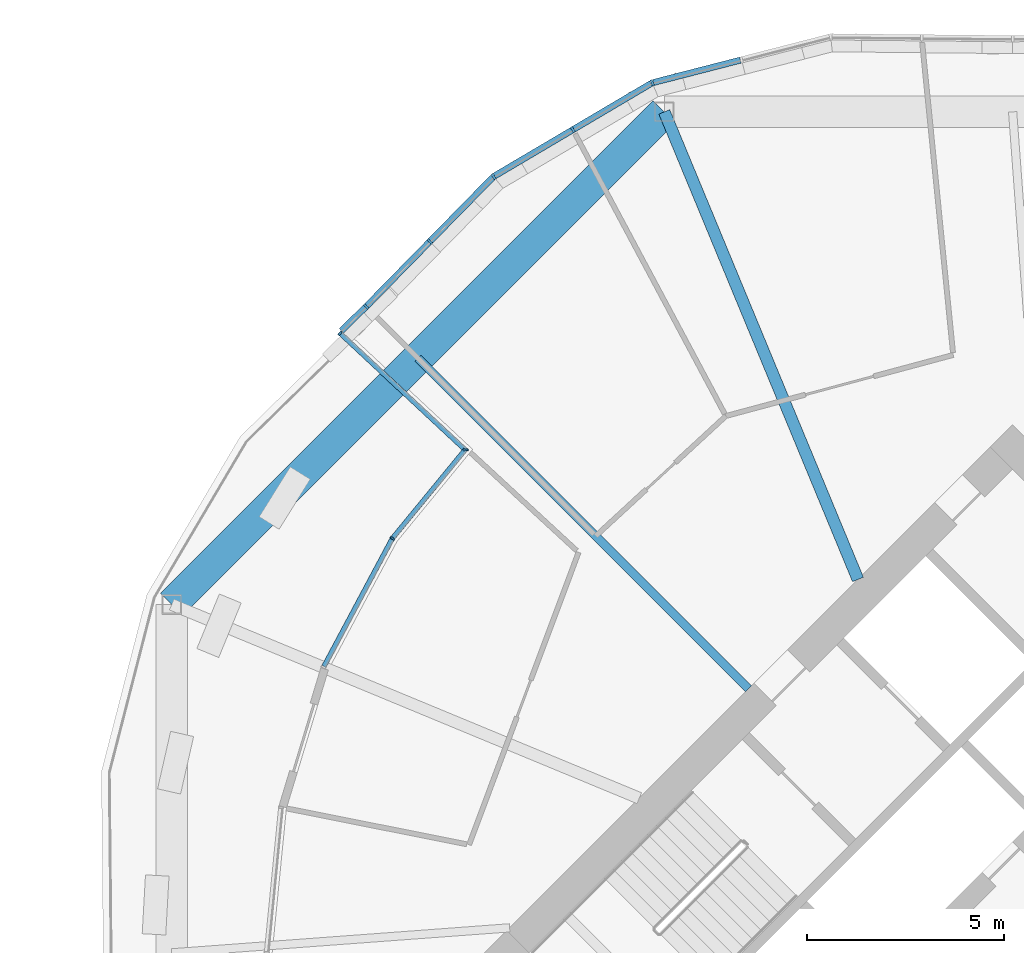
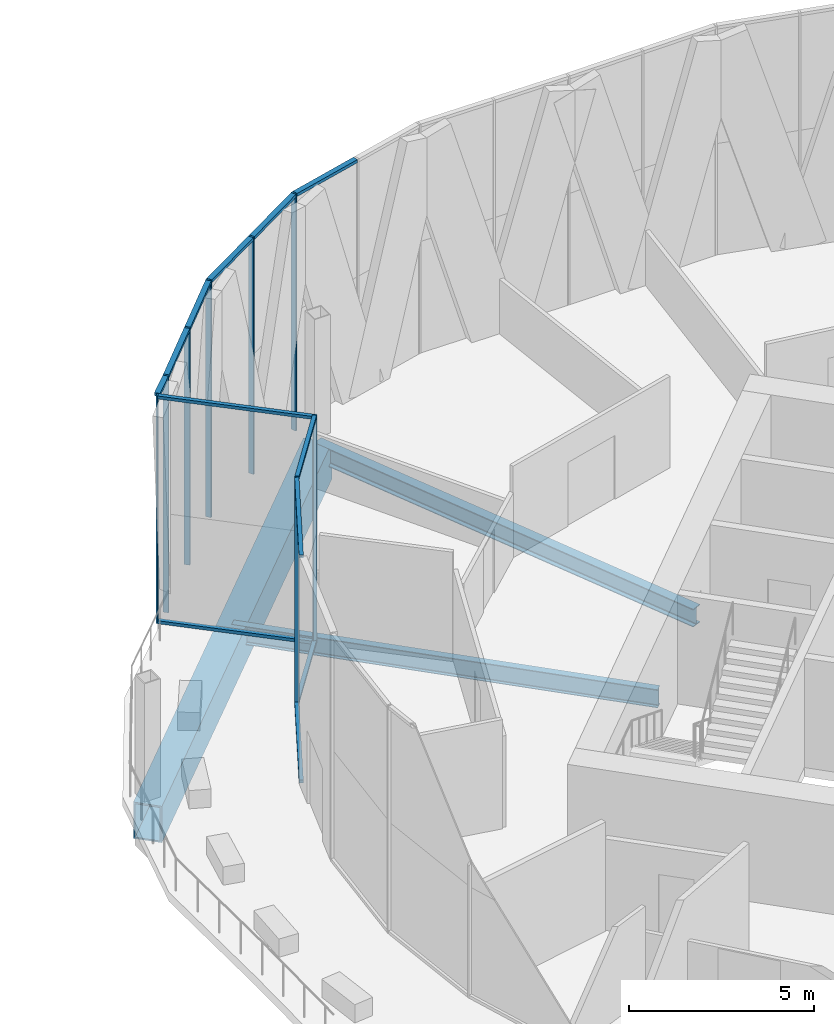
# One storey, part 15 of 31: 20 members, 3 beams, 3 elements without a shape of their own.
"""IFC4 building model written with IfcOpenShell, lengths in metres."""

from ifc_helpers import new_model, si_unit, direction, frame, origin, origin_2d, place, context, subcontext, project, spatial, rectangle, hollow_rectangle, i_section, extrude, material, material_profile, profile_set, type_object, element, aggregate, save


model = new_model("IFC4")

# Units and contexts
model_context = context("Model", 3, precision=1e-05, world=origin(), true_north=direction((0.0, 1.0)))
body_context = subcontext(model_context, "Body", "Model", "MODEL_VIEW")
ifc_project = project(units=[si_unit("LENGTHUNIT", "METRE"), si_unit("AREAUNIT", "SQUARE_METRE"), si_unit("VOLUMEUNIT", "CUBIC_METRE"), si_unit("PLANEANGLEUNIT", "RADIAN"), si_unit("MASSUNIT", "GRAM", prefix="KILO")], contexts=[model_context])

# Site, building, storey
site_placement = place(None, origin())
site = spatial("IfcSite", under=ifc_project, at=site_placement, CompositionType="ELEMENT")
building_placement = place(site_placement, origin())
building = spatial("IfcBuilding", under=site, at=building_placement, Name="Ogive Gate Towers", CompositionType="ELEMENT")
storey_placement = place(building_placement, frame((0.0, 0.0, 107.39990234375)))
storey = spatial("IfcBuildingStorey", under=building, at=storey_placement, Name="L25", CompositionType="ELEMENT", Elevation=107.39990234375)

# Beams
ifc_material_1 = material(Name="Steel SM460", Category="steel")
ifc_material_profile_1 = material_profile(ifc_material_1, hollow_rectangle(XDim=0.800048828125, YDim=1.199951171875, WallThickness=0.050048828125, at=origin_2d()), Name="BX 1200x800x50")
ifc_profile_set_1 = profile_set([ifc_material_profile_1], Name="Steel SM460")
beam_type_1 = type_object("IfcBeamType", Name="Edge girder BX 1200x800x50", PredefinedType="BEAM", material=ifc_profile_set_1)
beam_1_placement = place(storey_placement, frame((27.136962890625, 21.39697265625, -0.89990234375), z_axis=(-0.707106781187, -0.707106781187, 0.0), x_axis=(0.707106781187, -0.707106781187, 0.0)))
element("IfcBeam", 1, at=beam_1_placement, inside=storey, type_object=beam_type_1, Name="T2/L25/SBM023", PredefinedType="BEAM", context=body_context, shape_type="SweptSolid", body=[
    extrude(hollow_rectangle(XDim=0.800048828125, YDim=1.199951171875, WallThickness=0.050048828125, at=origin_2d()), origin(), (0.0, 0.0, 1.0), 17.7255859375),
])
ifc_material_2 = material(Name="Steel SM355", Category="steel")
ifc_material_profile_2 = material_profile(ifc_material_2, i_section(OverallWidth=0.300048828125, OverallDepth=0.590087890625, WebThickness=0.012939453125, FlangeThickness=0.02490234375, FilletRadius=0.027099609375, at=origin_2d()), Name="HE 600 A")
ifc_profile_set_2 = profile_set([ifc_material_profile_2], Name="Steel SM355")
beam_type_2 = type_object("IfcBeamType", Name="Radial floor beam HE 600 A", PredefinedType="BEAM", material=ifc_profile_set_2)
beam_2_placement = place(storey_placement, frame((32.06494140625, 9.5, -0.594970703125), z_axis=(-0.382689470177, 0.923877031545, 0.0), x_axis=(-0.923877031545, -0.382689470177, 0.0)))
element("IfcBeam", 2, at=beam_2_placement, inside=storey, type_object=beam_type_2, Name="T2/L25/SBM013", PredefinedType="BEAM", context=body_context, shape_type="SweptSolid", body=[
    extrude(i_section(OverallWidth=0.300048828125, OverallDepth=0.590087890625, WebThickness=0.012939453125, FlangeThickness=0.02490234375, FilletRadius=0.027099609375, at=origin_2d()), origin(), (0.0, 0.0, 1.0), 12.877197265625),
])
ifc_material_profile_3 = material_profile(ifc_material_2, i_section(OverallWidth=0.219970703125, OverallDepth=0.60009765625, WebThickness=0.011962890625, FlangeThickness=0.01904296875, FilletRadius=0.02392578125, at=origin_2d()), Name="IPE 600")
ifc_profile_set_3 = profile_set([ifc_material_profile_3], Name="Steel SM355")
beam_type_3 = type_object("IfcBeamType", Name="Radial floor beam IPE 600", PredefinedType="BEAM", material=ifc_profile_set_3)
beam_3_placement = place(storey_placement, frame((29.282470703125, 6.717529296875, -0.599853515625), z_axis=(-0.707106781187, 0.707106781187, 0.0), x_axis=(-0.707106781187, -0.707106781187, 0.0)))
element("IfcBeam", 3, at=beam_3_placement, inside=storey, type_object=beam_type_3, Name="T2/L25/SBM014", PredefinedType="BEAM", context=body_context, shape_type="SweptSolid", body=[
    extrude(i_section(OverallWidth=0.219970703125, OverallDepth=0.60009765625, WebThickness=0.011962890625, FlangeThickness=0.01904296875, FilletRadius=0.02392578125, at=origin_2d()), origin(), (0.0, 0.0, 1.0), 11.89697265625),
])

# Curtain wall, members
ifc_material_3 = material(Name="Pale metal aluminium", Category="aluminium")
curtain_wall_type_1 = type_object("IfcCurtainWallType", Name="Sky garden glazing", PredefinedType="NOTDEFINED", material=ifc_material_3)
curtain_wall_1_placement = place(storey_placement, origin())
curtain_wall_1 = element("IfcCurtainWall", 4, at=curtain_wall_1_placement, inside=storey, type_object=curtain_wall_type_1, Name="CW4 T2 ECW01b", PredefinedType="NOTDEFINED")
ifc_material_profile_4 = material_profile(ifc_material_3, rectangle(XDim=0.1201171875, YDim=0.050048828125, at=origin_2d()), Name="50 x 120 aluminium box")
ifc_profile_set_4 = profile_set([ifc_material_profile_4], Name="Pale metal aluminium")
member_type_1 = type_object("IfcMemberType", Name="Sky garden glazing mullion 50 x 120", PredefinedType="MULLION", material=ifc_profile_set_4)
member_1_placement = place(storey_placement, frame((20.21826171875, 10.544921875, 0.0), z_axis=(0.0, 0.0, 1.0), x_axis=(0.831469612303, -0.55557023302, 0.0)))
member_1 = element("IfcMember", 5, at=member_1_placement, type_object=member_type_1, Name="CW4 mullion", PredefinedType="MULLION", context=body_context, shape_type="SweptSolid", body=[
    extrude(rectangle(XDim=0.1201171875, YDim=0.050048828125, at=origin_2d()), origin(), (0.0, 0.0, 1.0), 7.5),
])
member_2_placement = place(storey_placement, frame((22.08349609375, 12.80078125, 0.0), z_axis=(0.0, 0.0, 1.0), x_axis=(0.997786405538, 0.066500292664, 0.0)))
member_2 = element("IfcMember", 6, at=member_2_placement, type_object=member_type_1, Name="CW4 mullion", PredefinedType="MULLION", context=body_context, shape_type="SweptSolid", body=[
    extrude(rectangle(XDim=0.1201171875, YDim=0.050048828125, at=origin_2d()), origin(), (0.0, 0.0, 1.0), 7.5),
])
member_3_placement = place(storey_placement, frame((18.88818359375, 15.765380859375, 0.0), z_axis=(0.0, 0.0, 1.0), x_axis=(0.681998360062, 0.731353701619, 0.0)))
member_3 = element("IfcMember", 7, at=member_3_placement, type_object=member_type_1, Name="CW4 mullion", PredefinedType="MULLION", context=body_context, shape_type="SweptSolid", body=[
    extrude(rectangle(XDim=0.1201171875, YDim=0.050048828125, at=origin_2d()), origin(), (0.0, 0.0, 1.0), 7.5),
])
ifc_material_profile_5 = material_profile(ifc_material_3, rectangle(XDim=0.1201171875, YDim=0.10009765625, at=origin_2d()), Name="100 x 120 aluminium box")
ifc_profile_set_5 = profile_set([ifc_material_profile_5], Name="Pale metal aluminium")
member_type_2 = type_object("IfcMemberType", Name="Sky garden glazing transom 100 x 120", PredefinedType="USERDEFINED", material=ifc_profile_set_5)
member_4_placement = place(storey_placement, frame((18.477783203125, 7.2890625, 7.4501953125), z_axis=(0.471414810455, 0.881911603554, 0.0), x_axis=(-0.881911603554, 0.471414810455, 0.0)))
member_4 = element("IfcMember", 8, at=member_4_placement, type_object=member_type_2, Name="CW4 transom", ObjectType="TRANSOM", PredefinedType="USERDEFINED", context=body_context, shape_type="SweptSolid", body=[
    extrude(rectangle(XDim=0.1201171875, YDim=0.10009765625, at=origin_2d()), origin(), (0.0, 0.0, 1.0), 3.6630859375),
])
member_5_placement = place(storey_placement, frame((18.477783203125, 7.2890625, 0.050048828125), z_axis=(0.471414810455, 0.881911603554, 0.0), x_axis=(-0.881911603554, 0.471414810455, 0.0)))
member_5 = element("IfcMember", 9, at=member_5_placement, type_object=member_type_2, Name="CW4 transom", ObjectType="TRANSOM", PredefinedType="USERDEFINED", context=body_context, shape_type="SweptSolid", body=[
    extrude(rectangle(XDim=0.1201171875, YDim=0.10009765625, at=origin_2d()), origin(), (0.0, 0.0, 1.0), 3.6630859375),
])
member_6_placement = place(storey_placement, frame((20.236572265625, 10.5673828125, 7.4501953125), z_axis=(0.634337249857, 0.773056436131, 0.0), x_axis=(-0.773056436131, 0.634337249857, 0.0)))
member_6 = element("IfcMember", 10, at=member_6_placement, type_object=member_type_2, Name="CW4 transom", ObjectType="TRANSOM", PredefinedType="USERDEFINED", context=body_context, shape_type="SweptSolid", body=[
    extrude(rectangle(XDim=0.1201171875, YDim=0.10009765625, at=origin_2d()), origin(), (0.0, 0.0, 1.0), 2.900390625),
])
member_7_placement = place(storey_placement, frame((20.236572265625, 10.5673828125, 0.050048828125), z_axis=(0.634337249857, 0.773056436131, 0.0), x_axis=(-0.773056436131, 0.634337249857, 0.0)))
member_7 = element("IfcMember", 11, at=member_7_placement, type_object=member_type_2, Name="CW4 transom", ObjectType="TRANSOM", PredefinedType="USERDEFINED", context=body_context, shape_type="SweptSolid", body=[
    extrude(rectangle(XDim=0.1201171875, YDim=0.10009765625, at=origin_2d()), origin(), (0.0, 0.0, 1.0), 2.900390625),
])
member_8_placement = place(storey_placement, frame((22.07763671875, 12.791259765625, 7.4501953125), z_axis=(-0.731366015346, 0.681985154968, 0.0), x_axis=(-0.681985154968, -0.731366015346, 0.0)))
member_8 = element("IfcMember", 12, at=member_8_placement, type_object=member_type_2, Name="CW4 transom", ObjectType="TRANSOM", PredefinedType="USERDEFINED", context=body_context, shape_type="SweptSolid", body=[
    extrude(rectangle(XDim=0.1201171875, YDim=0.10009765625, at=origin_2d()), origin(), (0.0, 0.0, 1.0), 4.3359375),
])
member_9_placement = place(storey_placement, frame((22.07763671875, 12.791259765625, 0.050048828125), z_axis=(-0.731366015346, 0.681985154968, 0.0), x_axis=(-0.681985154968, -0.731366015346, 0.0)))
member_9 = element("IfcMember", 13, at=member_9_placement, type_object=member_type_2, Name="CW4 transom", ObjectType="TRANSOM", PredefinedType="USERDEFINED", context=body_context, shape_type="SweptSolid", body=[
    extrude(rectangle(XDim=0.1201171875, YDim=0.10009765625, at=origin_2d()), origin(), (0.0, 0.0, 1.0), 4.3359375),
])
aggregate(curtain_wall_1, [member_1, member_4, member_5, member_2, member_6, member_7, member_3, member_8, member_9])

curtain_wall_type_2 = type_object("IfcCurtainWallType", Name="Tower unitised wall, low zone", PredefinedType="NOTDEFINED", material=ifc_material_3)
curtain_wall_2_placement = place(storey_placement, origin())
curtain_wall_2 = element("IfcCurtainWall", 14, at=curtain_wall_2_placement, inside=storey, type_object=curtain_wall_type_2, Name="CW1 T2 ECW05", PredefinedType="NOTDEFINED")
ifc_material_profile_6 = material_profile(ifc_material_3, rectangle(XDim=0.159912109375, YDim=0.06005859375, at=origin_2d()), Name="60 x 160 aluminium box")
ifc_profile_set_6 = profile_set([ifc_material_profile_6], Name="Pale metal aluminium")
member_type_3 = type_object("IfcMemberType", Name="Tower unitised wall, low zone mullion 60 x 160", PredefinedType="MULLION", material=ifc_profile_set_6)
member_10_placement = place(storey_placement, frame((19.552490234375, 16.447265625, -0.2998046875), z_axis=(0.0, 0.0, 1.0), x_axis=(0.714081802495, -0.700062268192, 0.0)))
member_10 = element("IfcMember", 15, at=member_10_placement, type_object=member_type_3, Name="CW1 mullion", PredefinedType="MULLION", context=body_context, shape_type="SweptSolid", body=[
    extrude(rectangle(XDim=0.159912109375, YDim=0.06005859375, at=origin_2d()), origin(), (0.0, 0.0, 1.0), 7.7998046875),
])
member_11_placement = place(storey_placement, frame((21.171142578125, 18.098388671875, -0.2998046875), z_axis=(0.0, 0.0, 1.0), x_axis=(0.714081802495, -0.700062268192, 0.0)))
member_11 = element("IfcMember", 16, at=member_11_placement, type_object=member_type_3, Name="CW1 mullion", PredefinedType="MULLION", context=body_context, shape_type="SweptSolid", body=[
    extrude(rectangle(XDim=0.159912109375, YDim=0.06005859375, at=origin_2d()), origin(), (0.0, 0.0, 1.0), 7.7998046875),
])
member_12_placement = place(storey_placement, frame((22.791748046875, 19.7509765625, -0.2998046875), z_axis=(0.0, 0.0, 1.0), x_axis=(0.616651232476, -0.787236468595, 0.0)))
member_12 = element("IfcMember", 17, at=member_12_placement, type_object=member_type_3, Name="CW1 mullion", PredefinedType="MULLION", context=body_context, shape_type="SweptSolid", body=[
    extrude(rectangle(XDim=0.159912109375, YDim=0.06005859375, at=origin_2d()), origin(), (0.0, 0.0, 1.0), 7.7998046875),
])
member_13_placement = place(storey_placement, frame((24.810791015625, 20.944091796875, -0.2998046875), z_axis=(0.0, 0.0, 1.0), x_axis=(0.508650771011, -0.860972934041, 0.0)))
member_13 = element("IfcMember", 18, at=member_13_placement, type_object=member_type_3, Name="CW1 mullion", PredefinedType="MULLION", context=body_context, shape_type="SweptSolid", body=[
    extrude(rectangle(XDim=0.159912109375, YDim=0.06005859375, at=origin_2d()), origin(), (0.0, 0.0, 1.0), 7.7998046875),
])
member_14_placement = place(storey_placement, frame((26.83056640625, 22.13720703125, -0.2998046875), z_axis=(0.0, 0.0, 1.0), x_axis=(0.382667307567, -0.923886211456, 0.0)))
member_14 = element("IfcMember", 19, at=member_14_placement, type_object=member_type_3, Name="CW1 mullion", PredefinedType="MULLION", context=body_context, shape_type="SweptSolid", body=[
    extrude(rectangle(XDim=0.159912109375, YDim=0.06005859375, at=origin_2d()), origin(), (0.0, 0.0, 1.0), 7.7998046875),
])
ifc_material_profile_7 = material_profile(ifc_material_3, rectangle(XDim=0.159912109375, YDim=0.10009765625, at=origin_2d()), Name="100 x 160 aluminium box")
ifc_profile_set_7 = profile_set([ifc_material_profile_7], Name="Pale metal aluminium")
member_type_4 = type_object("IfcMemberType", Name="Tower unitised wall, low zone transom 100 x 160", PredefinedType="USERDEFINED", material=ifc_profile_set_7)
member_15_placement = place(storey_placement, frame((19.573486328125, 16.468505859375, 7.4501953125), z_axis=(0.700025891815, 0.714117462879, 0.0), x_axis=(-0.714117462879, 0.700025891815, 0.0)))
member_15 = element("IfcMember", 20, at=member_15_placement, type_object=member_type_4, Name="CW1 transom", ObjectType="TRANSOM", PredefinedType="USERDEFINED", context=body_context, shape_type="SweptSolid", body=[
    extrude(rectangle(XDim=0.159912109375, YDim=0.10009765625, at=origin_2d()), origin(), (0.0, 0.0, 1.0), 2.252197265625),
])
member_16_placement = place(storey_placement, frame((21.192138671875, 18.11962890625, 7.4501953125), z_axis=(0.700080081582, 0.714064338399, 0.0), x_axis=(-0.714064338399, 0.700080081582, 0.0)))
member_16 = element("IfcMember", 21, at=member_16_placement, type_object=member_type_4, Name="CW1 transom", ObjectType="TRANSOM", PredefinedType="USERDEFINED", context=body_context, shape_type="SweptSolid", body=[
    extrude(rectangle(XDim=0.159912109375, YDim=0.10009765625, at=origin_2d()), origin(), (0.0, 0.0, 1.0), 2.252197265625),
])
member_17_placement = place(storey_placement, frame((22.81982421875, 19.767822265625, 7.4501953125), z_axis=(0.860964851658, 0.508664451489, 0.0), x_axis=(-0.508664451489, 0.860964851658, 0.0)))
member_17 = element("IfcMember", 22, at=member_17_placement, type_object=member_type_4, Name="CW1 transom", ObjectType="TRANSOM", PredefinedType="USERDEFINED", context=body_context, shape_type="SweptSolid", body=[
    extrude(rectangle(XDim=0.159912109375, YDim=0.10009765625, at=origin_2d()), origin(), (0.0, 0.0, 1.0), 2.28271484375),
])
member_18_placement = place(storey_placement, frame((24.8369140625, 20.95947265625, 7.4501953125), z_axis=(0.860964851658, 0.508664451489, 0.0), x_axis=(-0.508664451489, 0.860964851658, 0.0)))
member_18 = element("IfcMember", 23, at=member_18_placement, type_object=member_type_4, Name="CW1 transom", ObjectType="TRANSOM", PredefinedType="USERDEFINED", context=body_context, shape_type="SweptSolid", body=[
    extrude(rectangle(XDim=0.159912109375, YDim=0.10009765625, at=origin_2d()), origin(), (0.0, 0.0, 1.0), 2.28271484375),
])
member_19_placement = place(storey_placement, frame((26.8623046875, 22.1455078125, 7.4501953125), z_axis=(0.968478189772, 0.249098365983, 0.0), x_axis=(-0.249098365983, 0.968478189772, 0.0)))
member_19 = element("IfcMember", 24, at=member_19_placement, type_object=member_type_4, Name="CW1 transom", ObjectType="TRANSOM", PredefinedType="USERDEFINED", context=body_context, shape_type="SweptSolid", body=[
    extrude(rectangle(XDim=0.159912109375, YDim=0.10009765625, at=origin_2d()), origin(), (0.0, 0.0, 1.0), 2.28271484375),
])
aggregate(curtain_wall_2, [member_10, member_11, member_15, member_12, member_16, member_13, member_17, member_14, member_18, member_19])

# Curtain wall, member
curtain_wall_3_placement = place(storey_placement, origin())
curtain_wall_3 = element("IfcCurtainWall", 25, at=curtain_wall_3_placement, inside=storey, type_object=curtain_wall_type_2, Name="CW1 T2 ECW06", PredefinedType="NOTDEFINED")
member_20_placement = place(storey_placement, frame((18.923095703125, 15.830078125, 7.4501953125), z_axis=(0.714092500476, 0.700051355804, 0.0), x_axis=(-0.700051355804, 0.714092500476, 0.0)))
member_20 = element("IfcMember", 26, at=member_20_placement, type_object=member_type_4, Name="CW1 transom", ObjectType="TRANSOM", PredefinedType="USERDEFINED", context=body_context, shape_type="SweptSolid", body=[
    extrude(rectangle(XDim=0.159912109375, YDim=0.10009765625, at=origin_2d()), origin(), (0.0, 0.0, 1.0), 0.85205078125),
])
aggregate(curtain_wall_3, [member_20])

save(model, "model.ifc")
